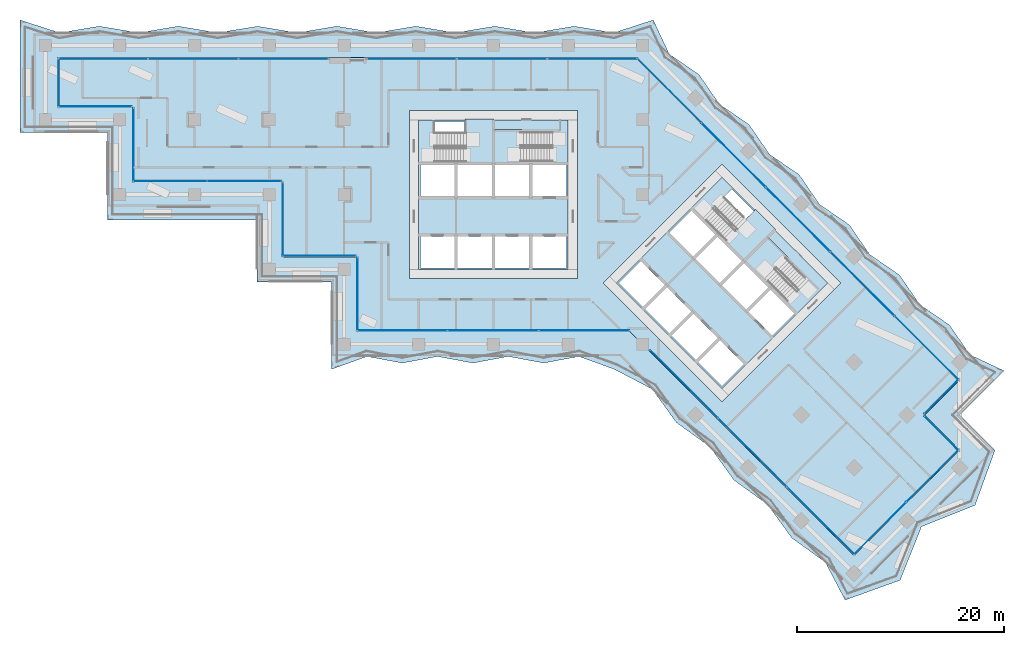
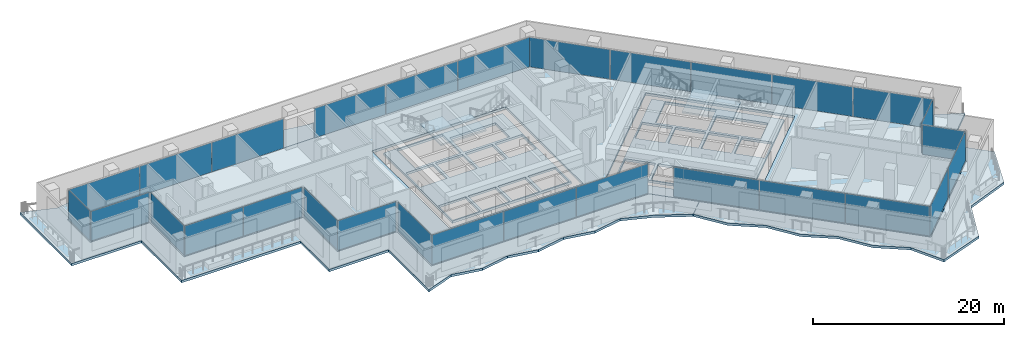
# One storey, part 12 of 24: 29 plates, 8 slabs, 22 openings, 19 elements without a shape of their own.
"""IFC4 building model written with IfcOpenShell, lengths in metres."""

from ifc_helpers import new_model, si_unit, direction, frame, origin, origin_2d, place, context, subcontext, project, spatial, polyline, rectangle, outline, extrude, material, layer, layer_set, type_object, element, aggregate, save


model = new_model("IFC4")

# Units and contexts
model_context = context("Model", 3, precision=1e-05, world=origin(), true_north=direction((0.0, 1.0)))
body_context = subcontext(model_context, "Body", "Model", "MODEL_VIEW")
ifc_project = project(units=[si_unit("LENGTHUNIT", "METRE"), si_unit("AREAUNIT", "SQUARE_METRE"), si_unit("VOLUMEUNIT", "CUBIC_METRE"), si_unit("PLANEANGLEUNIT", "RADIAN"), si_unit("MASSUNIT", "GRAM", prefix="KILO")], contexts=[model_context])

# Site, building, storey
site_placement = place(None, origin())
site = spatial("IfcSite", under=ifc_project, at=site_placement, CompositionType="ELEMENT")
building_placement = place(site_placement, origin())
building = spatial("IfcBuilding", under=site, at=building_placement, Name="Windrow Commons", CompositionType="ELEMENT")
storey_placement = place(building_placement, frame((0.0, 0.0, 67.8)))
storey = spatial("IfcBuildingStorey", under=building, at=storey_placement, Name="L18", CompositionType="ELEMENT", Elevation=67.8)

# Slab, openings
ifc_material_1 = material(Name="Concrete C60/75", Category="concrete")
ifc_layer_1 = layer(ifc_material_1, 0.3)
ifc_layer_set_1 = layer_set([ifc_layer_1], Name="CORE FLOOR SLAB 300 C60/75")
slab_type_1 = type_object("IfcSlabType", Name="CORE FLOOR SLAB 300 C60/75", PredefinedType="FLOOR", material=ifc_layer_set_1)
placement_1 = place(storey_placement, frame((0.0, 0.0, -0.3)))
slab_1 = element("IfcSlab", 1, at=placement_1, inside=storey, type_object=slab_type_1, Name="S-L18-core-A", PredefinedType="FLOOR", context=body_context, shape_type="SweptSolid", body=[
    extrude(outline(polyline([(57.6, 50.4), (72.0, 50.4), (72.0, 64.8), (57.6, 64.8), (57.6, 50.4)]), holes=[polyline([(57.75, 50.55), (61.05, 50.55), (61.05, 53.55), (57.75, 53.55), (57.75, 50.55)]), polyline([(61.35, 50.55), (64.65, 50.55), (64.65, 53.55), (61.35, 53.55), (61.35, 50.55)]), polyline([(64.95, 50.55), (68.25, 50.55), (68.25, 53.55), (64.95, 53.55), (64.95, 50.55)]), polyline([(68.55, 50.55), (71.85, 50.55), (71.85, 53.55), (68.55, 53.55), (68.55, 50.55)]), polyline([(57.75, 57.45), (61.05, 57.45), (61.05, 60.45), (57.75, 60.45), (57.75, 57.45)]), polyline([(61.35, 57.45), (64.65, 57.45), (64.65, 60.45), (61.35, 60.45), (61.35, 57.45)]), polyline([(64.95, 57.45), (68.25, 57.45), (68.25, 60.45), (64.95, 60.45), (64.95, 57.45)]), polyline([(68.55, 57.45), (71.85, 57.45), (71.85, 60.45), (68.55, 60.45), (68.55, 57.45)]), polyline([(59.1, 60.75), (64.65, 60.75), (64.65, 64.65), (59.1, 64.65), (59.1, 60.75)]), polyline([(64.95, 60.75), (70.5, 60.75), (70.5, 63.705), (64.95, 63.705), (64.95, 60.75)])]), origin(), (0.0, 0.0, 1.0), 0.3),
])
opening_1_placement = place(placement_1, origin())
element("IfcOpeningElement", 2, at=opening_1_placement, cuts=slab_1, Name="Slab opening S-L18-core-A 1", PredefinedType="OPENING", context=body_context, shape_type="SweptSolid", body=[
    extrude(outline(polyline([(57.755, 50.555), (57.755, 53.545), (61.045, 53.545), (61.045, 50.555), (57.755, 50.555)])), origin(), (0.0, 0.0, 1.0), 0.3),
])
opening_2_placement = place(placement_1, origin())
element("IfcOpeningElement", 3, at=opening_2_placement, cuts=slab_1, Name="Slab opening S-L18-core-A 2", PredefinedType="OPENING", context=body_context, shape_type="SweptSolid", body=[
    extrude(outline(polyline([(61.355, 50.555), (61.355, 53.545), (64.645, 53.545), (64.645, 50.555), (61.355, 50.555)])), origin(), (0.0, 0.0, 1.0), 0.3),
])
opening_3_placement = place(placement_1, origin())
element("IfcOpeningElement", 4, at=opening_3_placement, cuts=slab_1, Name="Slab opening S-L18-core-A 3", PredefinedType="OPENING", context=body_context, shape_type="SweptSolid", body=[
    extrude(outline(polyline([(64.955, 50.555), (64.955, 53.545), (68.245, 53.545), (68.245, 50.555), (64.955, 50.555)])), origin(), (0.0, 0.0, 1.0), 0.3),
])
opening_4_placement = place(placement_1, origin())
element("IfcOpeningElement", 5, at=opening_4_placement, cuts=slab_1, Name="Slab opening S-L18-core-A 4", PredefinedType="OPENING", context=body_context, shape_type="SweptSolid", body=[
    extrude(outline(polyline([(68.555, 50.555), (68.555, 53.545), (71.845, 53.545), (71.845, 50.555), (68.555, 50.555)])), origin(), (0.0, 0.0, 1.0), 0.3),
])
opening_5_placement = place(placement_1, origin())
element("IfcOpeningElement", 6, at=opening_5_placement, cuts=slab_1, Name="Slab opening S-L18-core-A 5", PredefinedType="OPENING", context=body_context, shape_type="SweptSolid", body=[
    extrude(outline(polyline([(57.755, 57.455), (57.755, 60.445), (61.045, 60.445), (61.045, 57.455), (57.755, 57.455)])), origin(), (0.0, 0.0, 1.0), 0.3),
])
opening_6_placement = place(placement_1, origin())
element("IfcOpeningElement", 7, at=opening_6_placement, cuts=slab_1, Name="Slab opening S-L18-core-A 6", PredefinedType="OPENING", context=body_context, shape_type="SweptSolid", body=[
    extrude(outline(polyline([(61.355, 57.455), (61.355, 60.445), (64.645, 60.445), (64.645, 57.455), (61.355, 57.455)])), origin(), (0.0, 0.0, 1.0), 0.3),
])
opening_7_placement = place(placement_1, origin())
element("IfcOpeningElement", 8, at=opening_7_placement, cuts=slab_1, Name="Slab opening S-L18-core-A 7", PredefinedType="OPENING", context=body_context, shape_type="SweptSolid", body=[
    extrude(outline(polyline([(64.955, 57.455), (64.955, 60.445), (68.245, 60.445), (68.245, 57.455), (64.955, 57.455)])), origin(), (0.0, 0.0, 1.0), 0.3),
])
opening_8_placement = place(placement_1, origin())
element("IfcOpeningElement", 9, at=opening_8_placement, cuts=slab_1, Name="Slab opening S-L18-core-A 8", PredefinedType="OPENING", context=body_context, shape_type="SweptSolid", body=[
    extrude(outline(polyline([(68.555, 57.455), (68.555, 60.445), (71.845, 60.445), (71.845, 57.455), (68.555, 57.455)])), origin(), (0.0, 0.0, 1.0), 0.3),
])
opening_9_placement = place(placement_1, origin())
element("IfcOpeningElement", 10, at=opening_9_placement, cuts=slab_1, Name="Slab opening S-L18-core-A 9", PredefinedType="OPENING", context=body_context, shape_type="SweptSolid", body=[
    extrude(outline(polyline([(59.105, 60.755), (59.105, 64.645), (64.645, 64.645), (64.645, 60.755), (59.105, 60.755)])), origin(), (0.0, 0.0, 1.0), 0.3),
])
opening_10_placement = place(placement_1, origin())
element("IfcOpeningElement", 11, at=opening_10_placement, cuts=slab_1, Name="Slab opening S-L18-core-A 10", PredefinedType="OPENING", context=body_context, shape_type="SweptSolid", body=[
    extrude(outline(polyline([(64.955, 60.755), (64.955, 63.7), (70.495, 63.7), (70.495, 60.755), (64.955, 60.755)])), origin(), (0.0, 0.0, 1.0), 0.3),
])

slab_2 = element("IfcSlab", 12, at=placement_1, inside=storey, type_object=slab_type_1, Name="S-L18-core-B", PredefinedType="FLOOR", context=body_context, shape_type="SweptSolid", body=[
    extrude(outline(polyline([(76.6544, 49.0897), (86.8368, 38.9074), (97.0191, 49.0897), (86.8368, 59.2721), (76.6544, 49.0897)]), holes=[polyline([(76.8665, 49.0897), (79.2, 46.7563), (81.3213, 48.8776), (78.9879, 51.2111), (76.8665, 49.0897)]), polyline([(79.4121, 46.5442), (81.7456, 44.2107), (83.8669, 46.332), (81.5335, 48.6655), (79.4121, 46.5442)]), polyline([(81.9577, 43.9986), (84.2912, 41.6651), (86.4125, 43.7864), (84.079, 46.1199), (81.9577, 43.9986)]), polyline([(84.5033, 41.453), (86.8368, 39.1195), (88.9581, 41.2409), (86.6246, 43.5743), (84.5033, 41.453)]), polyline([(81.7456, 53.9688), (84.079, 51.6353), (86.2004, 53.7566), (83.8669, 56.0901), (81.7456, 53.9688)]), polyline([(84.2912, 51.4232), (86.6246, 49.0897), (88.7459, 51.2111), (86.4125, 53.5445), (84.2912, 51.4232)]), polyline([(86.8368, 48.8776), (89.1702, 46.5442), (91.2915, 48.6655), (88.9581, 50.9989), (86.8368, 48.8776)]), polyline([(89.3823, 46.332), (91.7158, 43.9986), (93.8371, 46.1199), (91.5037, 48.4533), (89.3823, 46.332)]), polyline([(85.0336, 55.3476), (88.9581, 51.4232), (91.7158, 54.1809), (87.7913, 58.1054), (85.0336, 55.3476)]), polyline([(89.1702, 51.2111), (93.0946, 47.2866), (95.1841, 49.3761), (91.2597, 53.3006), (89.1702, 51.2111)])]), origin(), (0.0, 0.0, 1.0), 0.3),
])
opening_11_placement = place(placement_1, origin())
element("IfcOpeningElement", 13, at=opening_11_placement, cuts=slab_2, Name="Slab opening S-L18-core-B 1", PredefinedType="OPENING", context=body_context, shape_type="SweptSolid", body=[
    extrude(outline(polyline([(76.8736, 49.0897), (78.9879, 51.204), (81.3142, 48.8776), (79.2, 46.7634), (76.8736, 49.0897)])), origin(), (0.0, 0.0, 1.0), 0.3),
])
opening_12_placement = place(placement_1, origin())
element("IfcOpeningElement", 14, at=opening_12_placement, cuts=slab_2, Name="Slab opening S-L18-core-B 2", PredefinedType="OPENING", context=body_context, shape_type="SweptSolid", body=[
    extrude(outline(polyline([(79.4192, 46.5442), (81.5335, 48.6584), (83.8598, 46.332), (81.7456, 44.2178), (79.4192, 46.5442)])), origin(), (0.0, 0.0, 1.0), 0.3),
])
opening_13_placement = place(placement_1, origin())
element("IfcOpeningElement", 15, at=opening_13_placement, cuts=slab_2, Name="Slab opening S-L18-core-B 3", PredefinedType="OPENING", context=body_context, shape_type="SweptSolid", body=[
    extrude(outline(polyline([(81.9648, 43.9986), (84.079, 46.1128), (86.4054, 43.7864), (84.2912, 41.6722), (81.9648, 43.9986)])), origin(), (0.0, 0.0, 1.0), 0.3),
])
opening_14_placement = place(placement_1, origin())
element("IfcOpeningElement", 16, at=opening_14_placement, cuts=slab_2, Name="Slab opening S-L18-core-B 4", PredefinedType="OPENING", context=body_context, shape_type="SweptSolid", body=[
    extrude(outline(polyline([(84.5104, 41.453), (86.6246, 43.5672), (88.951, 41.2409), (86.8368, 39.1266), (84.5104, 41.453)])), origin(), (0.0, 0.0, 1.0), 0.3),
])
opening_15_placement = place(placement_1, origin())
element("IfcOpeningElement", 17, at=opening_15_placement, cuts=slab_2, Name="Slab opening S-L18-core-B 5", PredefinedType="OPENING", context=body_context, shape_type="SweptSolid", body=[
    extrude(outline(polyline([(81.7527, 53.9688), (83.8669, 56.083), (86.1933, 53.7566), (84.079, 51.6424), (81.7527, 53.9688)])), origin(), (0.0, 0.0, 1.0), 0.3),
])
opening_16_placement = place(placement_1, origin())
element("IfcOpeningElement", 18, at=opening_16_placement, cuts=slab_2, Name="Slab opening S-L18-core-B 6", PredefinedType="OPENING", context=body_context, shape_type="SweptSolid", body=[
    extrude(outline(polyline([(84.2983, 51.4232), (86.4125, 53.5374), (88.7388, 51.2111), (86.6246, 49.0968), (84.2983, 51.4232)])), origin(), (0.0, 0.0, 1.0), 0.3),
])
opening_17_placement = place(placement_1, origin())
element("IfcOpeningElement", 19, at=opening_17_placement, cuts=slab_2, Name="Slab opening S-L18-core-B 7", PredefinedType="OPENING", context=body_context, shape_type="SweptSolid", body=[
    extrude(outline(polyline([(86.8439, 48.8776), (88.9581, 50.9918), (91.2844, 48.6655), (89.1702, 46.5513), (86.8439, 48.8776)])), origin(), (0.0, 0.0, 1.0), 0.3),
])
opening_18_placement = place(placement_1, origin())
element("IfcOpeningElement", 20, at=opening_18_placement, cuts=slab_2, Name="Slab opening S-L18-core-B 8", PredefinedType="OPENING", context=body_context, shape_type="SweptSolid", body=[
    extrude(outline(polyline([(89.3894, 46.332), (91.5037, 48.4462), (93.83, 46.1199), (91.7158, 44.0057), (89.3894, 46.332)])), origin(), (0.0, 0.0, 1.0), 0.3),
])
opening_19_placement = place(placement_1, origin())
element("IfcOpeningElement", 21, at=opening_19_placement, cuts=slab_2, Name="Slab opening S-L18-core-B 9", PredefinedType="OPENING", context=body_context, shape_type="SweptSolid", body=[
    extrude(outline(polyline([(85.0407, 55.3476), (87.7913, 58.0983), (91.7087, 54.1809), (88.9581, 51.4303), (85.0407, 55.3476)])), origin(), (0.0, 0.0, 1.0), 0.3),
])
opening_20_placement = place(placement_1, origin())
element("IfcOpeningElement", 22, at=opening_20_placement, cuts=slab_2, Name="Slab opening S-L18-core-B 10", PredefinedType="OPENING", context=body_context, shape_type="SweptSolid", body=[
    extrude(outline(polyline([(89.1773, 51.2111), (91.2597, 53.2935), (95.177, 49.3761), (93.0946, 47.2937), (89.1773, 51.2111)])), origin(), (0.0, 0.0, 1.0), 0.3),
])

# Curtain wall, plate
ifc_material_2 = material(Name="Clear laminated glass in Aluminium 6063-T6 anodised frame", Category="aluminium")
curtain_wall_type = type_object("IfcCurtainWallType", Name="Curtain wall CW2 sky lounge", PredefinedType="USERDEFINED", material=ifc_material_2)
placement_2 = place(storey_placement, origin())
curtain_wall_1 = element("IfcCurtainWall", 23, at=placement_2, inside=storey, type_object=curtain_wall_type, Name="Curtain wall CW2 L18 1", ObjectType="UNITISED", PredefinedType="USERDEFINED")
ifc_material_3 = material(Name="Clear laminated glass", Category="glass")
ifc_layer_2 = layer(ifc_material_3, 0.028)
ifc_layer_set_2 = layer_set([ifc_layer_2], Name="CW2 panel glass 28")
plate_type = type_object("IfcPlateType", Name="CW2 panel glass 28", PredefinedType="CURTAIN_PANEL", material=ifc_layer_set_2)
plate_1_placement = place(storey_placement, frame((107.9792, 34.594, 0.06), z_axis=(0.0, 0.0, 1.0), x_axis=(-0.7071067812, 0.7071067812, 0.0)))
plate_1 = element("IfcPlate", 24, at=plate_1_placement, type_object=plate_type, Name="CW2 panel 1.1", PredefinedType="CURTAIN_PANEL", context=body_context, shape_type="SweptSolid", body=[
    extrude(rectangle(XDim=4.68, YDim=0.028, at=origin_2d()), origin(), (0.0, 0.0, 1.0), 3.78),
])
aggregate(curtain_wall_1, [plate_1])

curtain_wall_2 = element("IfcCurtainWall", 25, at=placement_2, inside=storey, type_object=curtain_wall_type, Name="Curtain wall CW2 L18 2", ObjectType="UNITISED", PredefinedType="USERDEFINED")
plate_2_placement = place(storey_placement, frame((107.9792, 38.1296, 0.06), z_axis=(0.0, 0.0, 1.0), x_axis=(0.7071067812, 0.7071067812, 0.0)))
plate_2 = element("IfcPlate", 26, at=plate_2_placement, type_object=plate_type, Name="CW2 panel 1.1", PredefinedType="CURTAIN_PANEL", context=body_context, shape_type="SweptSolid", body=[
    extrude(rectangle(XDim=4.68, YDim=0.028, at=origin_2d()), origin(), (0.0, 0.0, 1.0), 3.78),
])
aggregate(curtain_wall_2, [plate_2])

# Curtain wall, plates
curtain_wall_3 = element("IfcCurtainWall", 27, at=placement_2, inside=storey, type_object=curtain_wall_type, Name="Curtain wall CW2 L18 3", ObjectType="UNITISED", PredefinedType="USERDEFINED")
plate_3_placement = place(storey_placement, frame((106.5613, 42.8002, 0.06), z_axis=(0.0, 0.0, 1.0), x_axis=(-0.7071067812, 0.7071067812, 0.0)))
plate_3 = element("IfcPlate", 28, at=plate_3_placement, type_object=plate_type, Name="CW2 panel 1.1", PredefinedType="CURTAIN_PANEL", context=body_context, shape_type="SweptSolid", body=[
    extrude(rectangle(XDim=8.6906, YDim=0.028, at=origin_2d()), origin(), (0.0, 0.0, 1.0), 3.78),
])
plate_4_placement = place(storey_placement, frame((100.3631, 48.9984, 0.06), z_axis=(0.0, 0.0, 1.0), x_axis=(-0.7071067812, 0.7071067812, 0.0)))
plate_4 = element("IfcPlate", 29, at=plate_4_placement, type_object=plate_type, Name="CW2 panel 2.1", PredefinedType="CURTAIN_PANEL", context=body_context, shape_type="SweptSolid", body=[
    extrude(rectangle(XDim=8.7206, YDim=0.028, at=origin_2d()), origin(), (0.0, 0.0, 1.0), 3.78),
])
plate_5_placement = place(storey_placement, frame((94.1542, 55.2072, 0.06), z_axis=(0.0, 0.0, 1.0), x_axis=(-0.7071067812, 0.7071067812, 0.0)))
plate_5 = element("IfcPlate", 30, at=plate_5_placement, type_object=plate_type, Name="CW2 panel 3.1", PredefinedType="CURTAIN_PANEL", context=body_context, shape_type="SweptSolid", body=[
    extrude(rectangle(XDim=8.7206, YDim=0.028, at=origin_2d()), origin(), (0.0, 0.0, 1.0), 3.78),
])
plate_6_placement = place(storey_placement, frame((87.9454, 61.4161, 0.06), z_axis=(0.0, 0.0, 1.0), x_axis=(-0.7071067812, 0.7071067812, 0.0)))
plate_6 = element("IfcPlate", 31, at=plate_6_placement, type_object=plate_type, Name="CW2 panel 4.1", PredefinedType="CURTAIN_PANEL", context=body_context, shape_type="SweptSolid", body=[
    extrude(rectangle(XDim=8.7206, YDim=0.028, at=origin_2d()), origin(), (0.0, 0.0, 1.0), 3.78),
])
plate_7_placement = place(storey_placement, frame((81.7472, 67.6143, 0.06), z_axis=(0.0, 0.0, 1.0), x_axis=(-0.7071067812, 0.7071067812, 0.0)))
plate_7 = element("IfcPlate", 32, at=plate_7_placement, type_object=plate_type, Name="CW2 panel 5.1", PredefinedType="CURTAIN_PANEL", context=body_context, shape_type="SweptSolid", body=[
    extrude(rectangle(XDim=8.6906, YDim=0.028, at=origin_2d()), origin(), (0.0, 0.0, 1.0), 3.78),
])
aggregate(curtain_wall_3, [plate_3, plate_4, plate_5, plate_6, plate_7])

curtain_wall_4 = element("IfcCurtainWall", 33, at=placement_2, inside=storey, type_object=curtain_wall_type, Name="Curtain wall CW2 L18 4.1", ObjectType="UNITISED", PredefinedType="USERDEFINED")
plate_8_placement = place(storey_placement, frame((74.3294, 70.7, 0.06), z_axis=(0.0, 0.0, 1.0), x_axis=(-1.0, 0.0, 0.0)))
plate_8 = element("IfcPlate", 34, at=plate_8_placement, type_object=plate_type, Name="CW2 panel 1.1", PredefinedType="CURTAIN_PANEL", context=body_context, shape_type="SweptSolid", body=[
    extrude(rectangle(XDim=8.627, YDim=0.028, at=origin_2d()), origin(), (0.0, 0.0, 1.0), 3.78),
])
plate_9_placement = place(storey_placement, frame((65.6274, 70.7, 0.06), z_axis=(0.0, 0.0, 1.0), x_axis=(-1.0, 0.0, 0.0)))
plate_9 = element("IfcPlate", 35, at=plate_9_placement, type_object=plate_type, Name="CW2 panel 2.1", PredefinedType="CURTAIN_PANEL", context=body_context, shape_type="SweptSolid", body=[
    extrude(rectangle(XDim=8.657, YDim=0.028, at=origin_2d()), origin(), (0.0, 0.0, 1.0), 3.78),
])
plate_10_placement = place(storey_placement, frame((56.9254, 70.7, 0.06), z_axis=(0.0, 0.0, 1.0), x_axis=(-1.0, 0.0, 0.0)))
plate_10 = element("IfcPlate", 36, at=plate_10_placement, type_object=plate_type, Name="CW2 panel 3.1", PredefinedType="CURTAIN_PANEL", context=body_context, shape_type="SweptSolid", body=[
    extrude(rectangle(XDim=8.627, YDim=0.028, at=origin_2d()), origin(), (0.0, 0.0, 1.0), 3.78),
])
aggregate(curtain_wall_4, [plate_8, plate_9, plate_10])

curtain_wall_5 = element("IfcCurtainWall", 37, at=placement_2, inside=storey, type_object=curtain_wall_type, Name="Curtain wall CW2 L18 4.2", ObjectType="UNITISED", PredefinedType="USERDEFINED")
plate_11_placement = place(storey_placement, frame((44.5782, 70.7, 0.06), z_axis=(0.0, 0.0, 1.0), x_axis=(-1.0, 0.0, 0.0)))
plate_11 = element("IfcPlate", 38, at=plate_11_placement, type_object=plate_type, Name="CW2 panel 1.1", PredefinedType="CURTAIN_PANEL", context=body_context, shape_type="SweptSolid", body=[
    extrude(rectangle(XDim=8.6273, YDim=0.028, at=origin_2d()), origin(), (0.0, 0.0, 1.0), 3.78),
])
plate_12_placement = place(storey_placement, frame((35.876, 70.7, 0.06), z_axis=(0.0, 0.0, 1.0), x_axis=(-1.0, 0.0, 0.0)))
plate_12 = element("IfcPlate", 39, at=plate_12_placement, type_object=plate_type, Name="CW2 panel 2.1", PredefinedType="CURTAIN_PANEL", context=body_context, shape_type="SweptSolid", body=[
    extrude(rectangle(XDim=8.6573, YDim=0.028, at=origin_2d()), origin(), (0.0, 0.0, 1.0), 3.78),
])
plate_13_placement = place(storey_placement, frame((27.1736, 70.7, 0.06), z_axis=(0.0, 0.0, 1.0), x_axis=(-1.0, 0.0, 0.0)))
plate_13 = element("IfcPlate", 40, at=plate_13_placement, type_object=plate_type, Name="CW2 panel 3.1", PredefinedType="CURTAIN_PANEL", context=body_context, shape_type="SweptSolid", body=[
    extrude(rectangle(XDim=8.6273, YDim=0.028, at=origin_2d()), origin(), (0.0, 0.0, 1.0), 3.78),
])
aggregate(curtain_wall_5, [plate_11, plate_12, plate_13])

# Curtain wall, plate
curtain_wall_6 = element("IfcCurtainWall", 41, at=placement_2, inside=storey, type_object=curtain_wall_type, Name="Curtain wall CW2 L18 5", ObjectType="UNITISED", PredefinedType="USERDEFINED")
plate_14_placement = place(storey_placement, frame((22.9, 68.4, 0.06), z_axis=(0.0, 0.0, 1.0), x_axis=(0.0, -1.0, 0.0)))
plate_14 = element("IfcPlate", 42, at=plate_14_placement, type_object=plate_type, Name="CW2 panel 1.1", PredefinedType="CURTAIN_PANEL", context=body_context, shape_type="SweptSolid", body=[
    extrude(rectangle(XDim=4.68, YDim=0.028, at=origin_2d()), origin(), (0.0, 0.0, 1.0), 3.78),
])
aggregate(curtain_wall_6, [plate_14])

curtain_wall_7 = element("IfcCurtainWall", 43, at=placement_2, inside=storey, type_object=curtain_wall_type, Name="Curtain wall CW2 L18 6", ObjectType="UNITISED", PredefinedType="USERDEFINED")
plate_15_placement = place(storey_placement, frame((26.4, 66.1, 0.06), z_axis=(0.0, 0.0, 1.0), x_axis=(1.0, 0.0, 0.0)))
plate_15 = element("IfcPlate", 44, at=plate_15_placement, type_object=plate_type, Name="CW2 panel 1.1", PredefinedType="CURTAIN_PANEL", context=body_context, shape_type="SweptSolid", body=[
    extrude(rectangle(XDim=7.08, YDim=0.028, at=origin_2d()), origin(), (0.0, 0.0, 1.0), 3.78),
])
aggregate(curtain_wall_7, [plate_15])

curtain_wall_8 = element("IfcCurtainWall", 45, at=placement_2, inside=storey, type_object=curtain_wall_type, Name="Curtain wall CW2 L18 7", ObjectType="UNITISED", PredefinedType="USERDEFINED")
plate_16_placement = place(storey_placement, frame((30.1, 62.4, 0.06), z_axis=(0.0, 0.0, 1.0), x_axis=(0.0, -1.0, 0.0)))
plate_16 = element("IfcPlate", 46, at=plate_16_placement, type_object=plate_type, Name="CW2 panel 1.1", PredefinedType="CURTAIN_PANEL", context=body_context, shape_type="SweptSolid", body=[
    extrude(rectangle(XDim=7.08, YDim=0.028, at=origin_2d()), origin(), (0.0, 0.0, 1.0), 3.78),
])
aggregate(curtain_wall_8, [plate_16])

# Curtain wall, plates
curtain_wall_9 = element("IfcCurtainWall", 47, at=placement_2, inside=storey, type_object=curtain_wall_type, Name="Curtain wall CW2 L18 8", ObjectType="UNITISED", PredefinedType="USERDEFINED")
plate_17_placement = place(storey_placement, frame((33.615, 58.9, 0.06), z_axis=(0.0, 0.0, 1.0), x_axis=(1.0, 0.0, 0.0)))
plate_17 = element("IfcPlate", 48, at=plate_17_placement, type_object=plate_type, Name="CW2 panel 1.1", PredefinedType="CURTAIN_PANEL", context=body_context, shape_type="SweptSolid", body=[
    extrude(rectangle(XDim=7.11, YDim=0.028, at=origin_2d()), origin(), (0.0, 0.0, 1.0), 3.78),
])
plate_18_placement = place(storey_placement, frame((40.785, 58.9, 0.06), z_axis=(0.0, 0.0, 1.0), x_axis=(1.0, 0.0, 0.0)))
plate_18 = element("IfcPlate", 49, at=plate_18_placement, type_object=plate_type, Name="CW2 panel 2.1", PredefinedType="CURTAIN_PANEL", context=body_context, shape_type="SweptSolid", body=[
    extrude(rectangle(XDim=7.11, YDim=0.028, at=origin_2d()), origin(), (0.0, 0.0, 1.0), 3.78),
])
aggregate(curtain_wall_9, [plate_17, plate_18])

# Curtain wall, plate
curtain_wall_10 = element("IfcCurtainWall", 50, at=placement_2, inside=storey, type_object=curtain_wall_type, Name="Curtain wall CW2 L18 9", ObjectType="UNITISED", PredefinedType="USERDEFINED")
plate_19_placement = place(storey_placement, frame((44.5, 55.2, 0.06), z_axis=(0.0, 0.0, 1.0), x_axis=(0.0, -1.0, 0.0)))
plate_19 = element("IfcPlate", 51, at=plate_19_placement, type_object=plate_type, Name="CW2 panel 1.1", PredefinedType="CURTAIN_PANEL", context=body_context, shape_type="SweptSolid", body=[
    extrude(rectangle(XDim=7.08, YDim=0.028, at=origin_2d()), origin(), (0.0, 0.0, 1.0), 3.78),
])
aggregate(curtain_wall_10, [plate_19])

curtain_wall_11 = element("IfcCurtainWall", 52, at=placement_2, inside=storey, type_object=curtain_wall_type, Name="Curtain wall CW2 L18 10", ObjectType="UNITISED", PredefinedType="USERDEFINED")
plate_20_placement = place(storey_placement, frame((48.0, 51.7, 0.06), z_axis=(0.0, 0.0, 1.0), x_axis=(1.0, 0.0, 0.0)))
plate_20 = element("IfcPlate", 53, at=plate_20_placement, type_object=plate_type, Name="CW2 panel 1.1", PredefinedType="CURTAIN_PANEL", context=body_context, shape_type="SweptSolid", body=[
    extrude(rectangle(XDim=7.08, YDim=0.028, at=origin_2d()), origin(), (0.0, 0.0, 1.0), 3.78),
])
aggregate(curtain_wall_11, [plate_20])

curtain_wall_12 = element("IfcCurtainWall", 54, at=placement_2, inside=storey, type_object=curtain_wall_type, Name="Curtain wall CW2 L18 11", ObjectType="UNITISED", PredefinedType="USERDEFINED")
plate_21_placement = place(storey_placement, frame((51.7, 48.0, 0.06), z_axis=(0.0, 0.0, 1.0), x_axis=(0.0, -1.0, 0.0)))
plate_21 = element("IfcPlate", 55, at=plate_21_placement, type_object=plate_type, Name="CW2 panel 1.1", PredefinedType="CURTAIN_PANEL", context=body_context, shape_type="SweptSolid", body=[
    extrude(rectangle(XDim=7.08, YDim=0.028, at=origin_2d()), origin(), (0.0, 0.0, 1.0), 3.78),
])
aggregate(curtain_wall_12, [plate_21])

# Curtain wall, plates
curtain_wall_13 = element("IfcCurtainWall", 56, at=placement_2, inside=storey, type_object=curtain_wall_type, Name="Curtain wall CW2 L18 12", ObjectType="UNITISED", PredefinedType="USERDEFINED")
plate_22_placement = place(storey_placement, frame((56.0067, 44.5, 0.06), z_axis=(0.0, 0.0, 1.0), x_axis=(1.0, 0.0, 0.0)))
plate_22 = element("IfcPlate", 57, at=plate_22_placement, type_object=plate_type, Name="CW2 panel 1.1", PredefinedType="CURTAIN_PANEL", context=body_context, shape_type="SweptSolid", body=[
    extrude(rectangle(XDim=8.6933, YDim=0.028, at=origin_2d()), origin(), (0.0, 0.0, 1.0), 3.78),
])
plate_23_placement = place(storey_placement, frame((64.775, 44.5, 0.06), z_axis=(0.0, 0.0, 1.0), x_axis=(1.0, 0.0, 0.0)))
plate_23 = element("IfcPlate", 58, at=plate_23_placement, type_object=plate_type, Name="CW2 panel 2.1", PredefinedType="CURTAIN_PANEL", context=body_context, shape_type="SweptSolid", body=[
    extrude(rectangle(XDim=8.7233, YDim=0.028, at=origin_2d()), origin(), (0.0, 0.0, 1.0), 3.78),
])
plate_24_placement = place(storey_placement, frame((73.5433, 44.5, 0.06), z_axis=(0.0, 0.0, 1.0), x_axis=(1.0, 0.0, 0.0)))
plate_24 = element("IfcPlate", 59, at=plate_24_placement, type_object=plate_type, Name="CW2 panel 3.1", PredefinedType="CURTAIN_PANEL", context=body_context, shape_type="SweptSolid", body=[
    extrude(rectangle(XDim=8.6933, YDim=0.028, at=origin_2d()), origin(), (0.0, 0.0, 1.0), 3.78),
])
aggregate(curtain_wall_13, [plate_22, plate_23, plate_24])

curtain_wall_14 = element("IfcCurtainWall", 60, at=placement_2, inside=storey, type_object=curtain_wall_type, Name="Curtain wall CW2 L18 13", ObjectType="UNITISED", PredefinedType="USERDEFINED")
plate_25_placement = place(storey_placement, frame((83.1546, 39.3368, 0.06), z_axis=(0.0, 0.0, 1.0), x_axis=(0.7071084169, -0.7071051455, 0.0)))
plate_25 = element("IfcPlate", 61, at=plate_25_placement, type_object=plate_type, Name="CW2 panel 1.1", PredefinedType="CURTAIN_PANEL", context=body_context, shape_type="SweptSolid", body=[
    extrude(rectangle(XDim=9.2389, YDim=0.028, at=origin_2d()), origin(), (0.0, 0.0, 1.0), 3.78),
])
plate_26_placement = place(storey_placement, frame((89.7406, 32.7509, 0.06), z_axis=(0.0, 0.0, 1.0), x_axis=(0.7071084169, -0.7071051455, 0.0)))
plate_26 = element("IfcPlate", 62, at=plate_26_placement, type_object=plate_type, Name="CW2 panel 2.1", PredefinedType="CURTAIN_PANEL", context=body_context, shape_type="SweptSolid", body=[
    extrude(rectangle(XDim=9.2689, YDim=0.028, at=origin_2d()), origin(), (0.0, 0.0, 1.0), 3.78),
])
plate_27_placement = place(storey_placement, frame((96.3265, 26.165, 0.06), z_axis=(0.0, 0.0, 1.0), x_axis=(0.7071084169, -0.7071051455, 0.0)))
plate_27 = element("IfcPlate", 63, at=plate_27_placement, type_object=plate_type, Name="CW2 panel 3.1", PredefinedType="CURTAIN_PANEL", context=body_context, shape_type="SweptSolid", body=[
    extrude(rectangle(XDim=9.2389, YDim=0.028, at=origin_2d()), origin(), (0.0, 0.0, 1.0), 3.78),
])
aggregate(curtain_wall_14, [plate_25, plate_26, plate_27])

curtain_wall_15 = element("IfcCurtainWall", 64, at=placement_2, inside=storey, type_object=curtain_wall_type, Name="Curtain wall CW2 L18 14", ObjectType="UNITISED", PredefinedType="USERDEFINED")
plate_28_placement = place(storey_placement, frame((102.0502, 25.4123, 0.06), z_axis=(0.0, 0.0, 1.0), x_axis=(0.7071067812, 0.7071067812, 0.0)))
plate_28 = element("IfcPlate", 65, at=plate_28_placement, type_object=plate_type, Name="CW2 panel 1.1", PredefinedType="CURTAIN_PANEL", context=body_context, shape_type="SweptSolid", body=[
    extrude(rectangle(XDim=7.11, YDim=0.028, at=origin_2d()), origin(), (0.0, 0.0, 1.0), 3.78),
])
plate_29_placement = place(storey_placement, frame((107.1201, 30.4822, 0.06), z_axis=(0.0, 0.0, 1.0), x_axis=(0.7071067812, 0.7071067812, 0.0)))
plate_29 = element("IfcPlate", 66, at=plate_29_placement, type_object=plate_type, Name="CW2 panel 2.1", PredefinedType="CURTAIN_PANEL", context=body_context, shape_type="SweptSolid", body=[
    extrude(rectangle(XDim=7.11, YDim=0.028, at=origin_2d()), origin(), (0.0, 0.0, 1.0), 3.78),
])
aggregate(curtain_wall_15, [plate_28, plate_29])

# Stair, slab
ifc_material_4 = material(Name="Concrete C40/50", Category="concrete")
stair_type = type_object("IfcStairType", Name="Core stair", PredefinedType="HALF_TURN_STAIR", material=ifc_material_4)
stair_1 = element("IfcStair", 67, at=placement_2, inside=storey, type_object=stair_type, Name="L18 Exit stair A1 core A", PredefinedType="HALF_TURN_STAIR")
ifc_material_5 = material(Name="Concrete C40/50", Category="concrete")
ifc_layer_3 = layer(ifc_material_5, 0.2)
ifc_layer_set_3 = layer_set([ifc_layer_3], Name="Core stair landing")
slab_type_2 = type_object("IfcSlabType", Name="Core stair landing", PredefinedType="LANDING", material=ifc_layer_set_3)
placement_3 = place(storey_placement, frame((0.0, 0.0, 1.9)))
slab_3 = element("IfcSlab", 68, at=placement_3, type_object=slab_type_2, Name="ST-A1 landing 1", PredefinedType="LANDING", context=body_context, shape_type="SweptSolid", body=[
    extrude(outline(polyline([(62.06, 60.5), (64.8, 60.5), (64.8, 64.9), (62.06, 64.9), (62.06, 60.5)])), origin(), (0.0, 0.0, 1.0), 0.2),
])
aggregate(stair_1, [slab_3])

stair_2 = element("IfcStair", 69, at=placement_2, inside=storey, type_object=stair_type, Name="L18 Exit stair A2 core A", PredefinedType="HALF_TURN_STAIR")
slab_4 = element("IfcSlab", 70, at=placement_3, type_object=slab_type_2, Name="ST-A2 landing 1", PredefinedType="LANDING", context=body_context, shape_type="SweptSolid", body=[
    extrude(outline(polyline([(64.8, 60.5), (67.54, 60.5), (67.54, 63.855), (64.8, 63.855), (64.8, 60.5)])), origin(), (0.0, 0.0, 1.0), 0.2),
])
aggregate(stair_2, [slab_4])

stair_3 = element("IfcStair", 71, at=placement_2, inside=storey, type_object=stair_type, Name="L18 Exit stair B1 core B", PredefinedType="HALF_TURN_STAIR")
slab_5 = element("IfcSlab", 72, at=placement_3, type_object=slab_type_2, Name="ST-B1 landing 1", PredefinedType="LANDING", context=body_context, shape_type="SweptSolid", body=[
    extrude(outline(polyline([(86.9499, 53.0778), (88.8874, 51.1403), (91.9986, 54.2516), (90.0612, 56.1891), (86.9499, 53.0778)])), origin(), (0.0, 0.0, 1.0), 0.2),
])
aggregate(stair_3, [slab_5])

stair_4 = element("IfcStair", 73, at=placement_2, inside=storey, type_object=stair_type, Name="L18 Exit stair B2 core B", PredefinedType="HALF_TURN_STAIR")
slab_6 = element("IfcSlab", 74, at=placement_3, type_object=slab_type_2, Name="ST-B2 landing 1", PredefinedType="LANDING", context=body_context, shape_type="SweptSolid", body=[
    extrude(outline(polyline([(88.8874, 51.1403), (90.8248, 49.2029), (93.1971, 51.5752), (91.2597, 53.5127), (88.8874, 51.1403)])), origin(), (0.0, 0.0, 1.0), 0.2),
])
aggregate(stair_4, [slab_6])

# Slab, openings
ifc_material_6 = material(Name="Concrete C60/75", Category="concrete")
ifc_layer_4 = layer(ifc_material_6, 0.3)
ifc_layer_set_4 = layer_set([ifc_layer_4], Name="FLOOR SLAB 300 C60/75")
slab_type_3 = type_object("IfcSlabType", Name="FLOOR SLAB 300 C60/75", PredefinedType="FLOOR", material=ifc_layer_set_4)
slab_7 = element("IfcSlab", 75, at=placement_1, inside=storey, type_object=slab_type_3, Name="S-L18-floor", PredefinedType="FLOOR", context=body_context, shape_type="SweptSolid", body=[
    extrude(outline(polyline([(109.747, 32.9677), (106.3529, 36.3618), (109.747, 39.7559), (78.7029, 70.8), (22.8, 70.8), (22.8, 66.0), (30.0, 66.0), (30.0, 58.8), (44.4, 58.8), (44.4, 51.6), (51.6, 51.6), (51.6, 44.4), (77.95, 44.4), (99.5647, 22.7854), (109.747, 32.9677)]), holes=[polyline([(75.3816, 49.0897), (86.8368, 60.5449), (98.2919, 49.0897), (86.8368, 37.6346), (75.3816, 49.0897)]), polyline([(56.7, 49.5), (56.7, 65.7), (72.9, 65.7), (72.9, 49.5), (56.7, 49.5)])]), origin(), (0.0, 0.0, 1.0), 0.3),
])
opening_21_placement = place(placement_1, origin())
element("IfcOpeningElement", 76, at=opening_21_placement, cuts=slab_7, Name="Slab opening S-L18-floor 1", PredefinedType="OPENING", context=body_context, shape_type="SweptSolid", body=[
    extrude(outline(polyline([(75.3887, 49.0897), (86.8368, 60.5378), (98.2848, 49.0897), (86.8368, 37.6417), (75.3887, 49.0897)])), origin(), (0.0, 0.0, 1.0), 0.3),
])
opening_22_placement = place(placement_1, origin())
element("IfcOpeningElement", 77, at=opening_22_placement, cuts=slab_7, Name="Slab opening S-L18-floor 2", PredefinedType="OPENING", context=body_context, shape_type="SweptSolid", body=[
    extrude(outline(polyline([(56.705, 49.505), (56.705, 65.695), (72.895, 65.695), (72.895, 49.505), (56.705, 49.505)])), origin(), (0.0, 0.0, 1.0), 0.3),
])

# Slab
ifc_material_7 = material(Name="Concrete C60/75", Category="concrete")
ifc_layer_5 = layer(ifc_material_7, 0.3)
ifc_layer_set_5 = layer_set([ifc_layer_5], Name="TERRACE SLAB 300 C60/75")
slab_type_4 = type_object("IfcSlabType", Name="TERRACE SLAB 300 C60/75", PredefinedType="FLOOR", material=ifc_layer_set_5)
element("IfcSlab", 78, at=placement_1, inside=storey, type_object=slab_type_4, Name="Terrace slab TR-L18-1", PredefinedType="FLOOR", context=body_context, shape_type="SweptSolid", body=[
    extrude(outline(polyline([(87.9965, 30.0685), (91.2226, 27.7333), (93.5578, 24.5072), (96.784, 22.172), (98.695, 18.5216), (104.0036, 20.436), (106.0595, 25.6032), (111.2266, 27.6591), (113.1411, 32.9677), (109.747, 36.3618), (114.0108, 40.6256), (110.7263, 42.1707), (108.757, 45.031), (105.8967, 47.0003), (103.9274, 49.8606), (101.0671, 51.83), (99.0978, 54.6902), (96.2375, 56.6596), (94.2681, 59.5199), (91.4079, 61.4892), (89.4385, 64.3495), (86.5783, 66.3188), (84.6089, 69.1791), (81.7486, 71.1484), (80.2036, 74.433), (76.3888, 73.2), (72.574, 73.833), (68.7592, 73.2), (64.9444, 73.833), (61.1297, 73.2), (57.3149, 73.833), (53.5001, 73.2), (49.6853, 73.833), (45.8705, 73.2), (42.0557, 73.833), (38.2409, 73.2), (34.4261, 73.833), (30.6114, 73.2), (26.7966, 73.833), (22.9818, 73.2), (19.167, 74.433), (19.167, 63.6), (27.6, 63.6), (27.6, 55.167), (42.0, 55.167), (42.0, 49.2), (49.2, 49.2), (49.2, 40.767), (52.6062, 42.0), (56.0124, 41.367), (59.4185, 42.0), (62.8247, 41.367), (66.2309, 42.0), (69.6371, 41.367), (73.0432, 42.0), (76.4494, 40.767), (80.0906, 38.861), (81.7898, 40.5602), (77.95, 44.4), (51.6, 44.4), (51.6, 51.6), (44.4, 51.6), (44.4, 58.8), (30.0, 58.8), (30.0, 66.0), (22.8, 66.0), (22.8, 70.8), (78.7029, 70.8), (109.747, 39.7559), (106.3529, 36.3618), (109.747, 32.9677), (99.5647, 22.7854), (81.804, 40.546), (80.1058, 38.8479), (82.4351, 35.6299), (85.6612, 33.2947), (87.9965, 30.0685)])), origin(), (0.0, 0.0, 1.0), 0.3),
])

save(model, "model.ifc")
